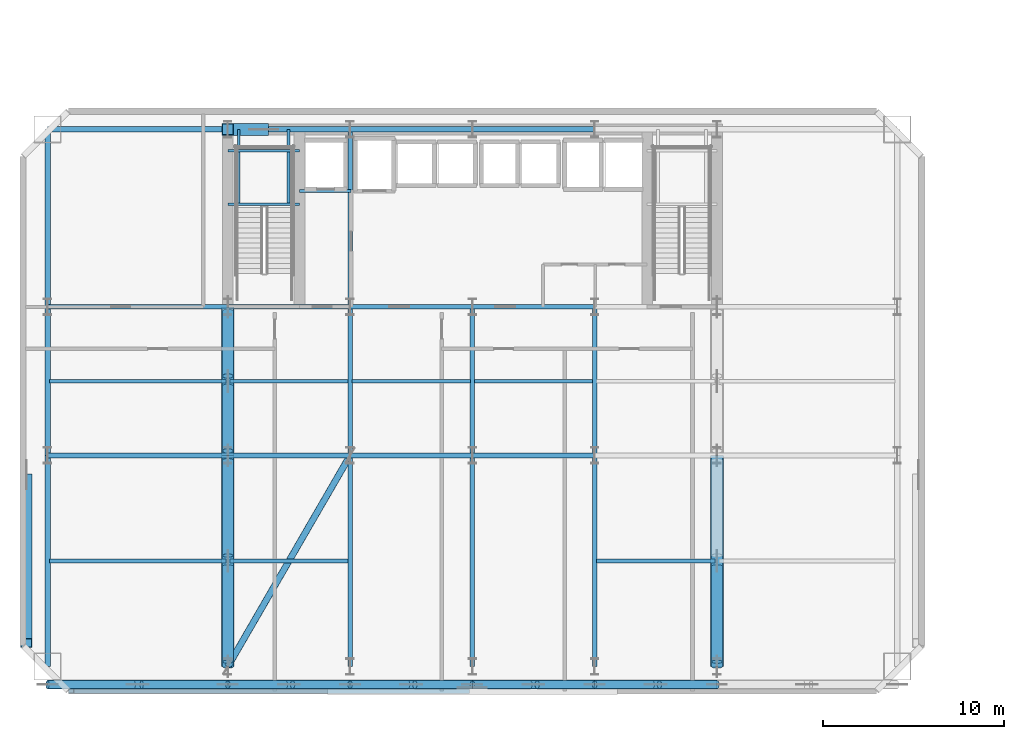
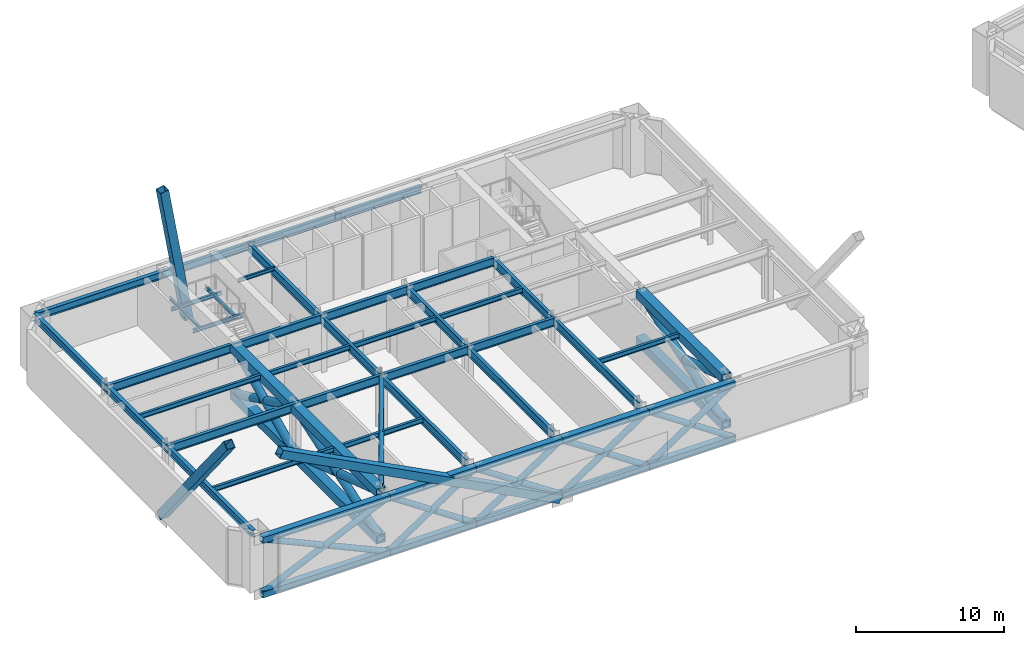
# One storey, part 3 of 17: 43 members, 34 beams.
"""IFC4 building model written with IfcOpenShell, lengths in metres."""

from ifc_helpers import new_model, si_unit, direction, frame, origin, origin_2d, place, context, subcontext, project, spatial, hollow_rectangle, hollow_circle, i_section, extrude, material, material_profile, profile_set, type_object, element, save


model = new_model("IFC4")

# Units and contexts
model_context = context("Model", 3, precision=1e-05, world=origin(), true_north=direction((0.0, 1.0)))
body_context = subcontext(model_context, "Body", "Model", "MODEL_VIEW")
ifc_project = project(units=[si_unit("LENGTHUNIT", "METRE"), si_unit("AREAUNIT", "SQUARE_METRE"), si_unit("VOLUMEUNIT", "CUBIC_METRE"), si_unit("PLANEANGLEUNIT", "RADIAN"), si_unit("MASSUNIT", "GRAM", prefix="KILO")], contexts=[model_context])

# Site, building, storey
site_placement = place(None, origin())
site = spatial("IfcSite", under=ifc_project, at=site_placement, CompositionType="ELEMENT")
building_placement = place(site_placement, origin())
building = spatial("IfcBuilding", under=site, at=building_placement, Name="Haevon Station Towers", CompositionType="ELEMENT")
storey_placement = place(building_placement, frame((0.0, 0.0, 81.89990234375)))
storey = spatial("IfcBuildingStorey", under=building, at=storey_placement, Name="L21", CompositionType="ELEMENT", Elevation=81.89990234375)

# Beams
ifc_material_1 = material(Name="Steel S355", Category="steel")
ifc_material_profile_1 = material_profile(ifc_material_1, i_section(OverallWidth=0.25, OverallDepth=0.699951171875, WebThickness=0.012939453125, FlangeThickness=0.02392578125, at=origin_2d()), Name="H-700x250x13x24")
ifc_profile_set_1 = profile_set([ifc_material_profile_1], Name="Steel S355")
beam_type_1 = type_object("IfcBeamType", Name="BM-G700", PredefinedType="BEAM", material=ifc_profile_set_1)
beam_1_placement = place(storey_placement, frame((14.050048828125, 30.0, 4.2001953125), z_axis=(1.0, 0.0, 0.0), x_axis=(0.0, 1.0, 0.0)))
element("IfcBeam", 1, at=beam_1_placement, inside=storey, type_object=beam_type_1, Name="BM-T1U-L21-02-01", PredefinedType="BEAM", context=body_context, shape_type="SweptSolid", body=[
    extrude(i_section(OverallWidth=0.25, OverallDepth=0.699951171875, WebThickness=0.012939453125, FlangeThickness=0.02392578125, at=origin_2d()), origin(), (0.0, 0.0, 1.0), 9.949951171875),
])
for number, where, z_axis, x_axis, name in (
    (2, (24.0, 30.0, 4.2001953125), (1.0, 0.0, 0.0), (0.0, 1.0, 0.0), "BM-T1U-L21-02-02"),
    (3, (30.75, 30.0, 4.2001953125), (1.0, 0.0, 0.0), (0.0, 1.0, 0.0), "BM-T1U-L21-02-03"),
    (4, (37.5, 30.0, 4.2001953125), (1.0, 0.0, 0.0), (0.0, 1.0, 0.0), "BM-T1U-L21-02-04"),
):
    element("IfcBeam", number, at=place(storey_placement, frame(where, z_axis=z_axis, x_axis=x_axis)), inside=storey, type_object=beam_type_1, Name=name, PredefinedType="BEAM", context=body_context, shape_type="SweptSolid", body=[
        extrude(i_section(OverallWidth=0.25, OverallDepth=0.699951171875, WebThickness=0.012939453125, FlangeThickness=0.02392578125, at=origin_2d()), origin(), (0.0, 0.0, 1.0), 6.75),
    ])
beam_2_placement = place(storey_placement, frame((14.050048828125, 38.199951171875, 4.2001953125), z_axis=(1.0, 0.0, 0.0), x_axis=(0.0, 1.0, 0.0)))
element("IfcBeam", 5, at=beam_2_placement, inside=storey, type_object=beam_type_1, Name="BM-T1U-L21-03-01", PredefinedType="BEAM", context=body_context, shape_type="SweptSolid", body=[
    extrude(i_section(OverallWidth=0.25, OverallDepth=0.699951171875, WebThickness=0.012939453125, FlangeThickness=0.02392578125, at=origin_2d()), origin(), (0.0, 0.0, 1.0), 9.949951171875),
])
for number, where, z_axis, x_axis, name in (
    (6, (24.0, 38.199951171875, 4.2001953125), (1.0, 0.0, 0.0), (0.0, 1.0, 0.0), "BM-T1U-L21-03-02"),
    (7, (30.75, 38.199951171875, 4.2001953125), (1.0, 0.0, 0.0), (0.0, 1.0, 0.0), "BM-T1U-L21-03-03"),
    (8, (37.5, 38.199951171875, 4.2001953125), (1.0, 0.0, 0.0), (0.0, 1.0, 0.0), "BM-T1U-L21-03-04"),
):
    element("IfcBeam", number, at=place(storey_placement, frame(where, z_axis=z_axis, x_axis=x_axis)), inside=storey, type_object=beam_type_1, Name=name, PredefinedType="BEAM", context=body_context, shape_type="SweptSolid", body=[
        extrude(i_section(OverallWidth=0.25, OverallDepth=0.699951171875, WebThickness=0.012939453125, FlangeThickness=0.02392578125, at=origin_2d()), origin(), (0.0, 0.0, 1.0), 6.75),
    ])
beam_3_placement = place(storey_placement, frame((30.75, 18.35009765625, 4.2001953125), z_axis=(0.0, 1.0, 0.0), x_axis=(-1.0, 0.0, 0.0)))
element("IfcBeam", 9, at=beam_3_placement, inside=storey, type_object=beam_type_1, Name="BM-T1V-L21-03-01", PredefinedType="BEAM", context=body_context, shape_type="SweptSolid", body=[
    extrude(i_section(OverallWidth=0.25, OverallDepth=0.699951171875, WebThickness=0.012939453125, FlangeThickness=0.02392578125, at=origin_2d()), origin(), (0.0, 0.0, 1.0), 11.64990234375),
])
beam_4_placement = place(storey_placement, frame((30.75, 30.0, 4.2001953125), z_axis=(0.0, 1.0, 0.0), x_axis=(-1.0, 0.0, 0.0)))
element("IfcBeam", 10, at=beam_4_placement, inside=storey, type_object=beam_type_1, Name="BM-T1V-L21-03-02", PredefinedType="BEAM", context=body_context, shape_type="SweptSolid", body=[
    extrude(i_section(OverallWidth=0.25, OverallDepth=0.699951171875, WebThickness=0.012939453125, FlangeThickness=0.02392578125, at=origin_2d()), origin(), (0.0, 0.0, 1.0), 8.199951171875),
])
beam_5_placement = place(storey_placement, frame((30.75, 38.199951171875, 4.2001953125), z_axis=(0.0, 1.0, 0.0), x_axis=(-1.0, 0.0, 0.0)))
element("IfcBeam", 11, at=beam_5_placement, inside=storey, type_object=beam_type_1, Name="BM-T1V-L21-03-03", PredefinedType="BEAM", context=body_context, shape_type="SweptSolid", body=[
    extrude(i_section(OverallWidth=0.25, OverallDepth=0.699951171875, WebThickness=0.012939453125, FlangeThickness=0.02392578125, at=origin_2d()), origin(), (0.0, 0.0, 1.0), 9.800048828125),
])
beam_6_placement = place(storey_placement, frame((37.5, 18.35009765625, 4.2001953125), z_axis=(0.0, 1.0, 0.0), x_axis=(-1.0, 0.0, 0.0)))
element("IfcBeam", 12, at=beam_6_placement, inside=storey, type_object=beam_type_1, Name="BM-T1V-L21-04-01", PredefinedType="BEAM", context=body_context, shape_type="SweptSolid", body=[
    extrude(i_section(OverallWidth=0.25, OverallDepth=0.699951171875, WebThickness=0.012939453125, FlangeThickness=0.02392578125, at=origin_2d()), origin(), (0.0, 0.0, 1.0), 11.64990234375),
])
beam_7_placement = place(storey_placement, frame((37.5, 30.0, 4.2001953125), z_axis=(0.0, 1.0, 0.0), x_axis=(-1.0, 0.0, 0.0)))
element("IfcBeam", 13, at=beam_7_placement, inside=storey, type_object=beam_type_1, Name="BM-T1V-L21-04-02", PredefinedType="BEAM", context=body_context, shape_type="SweptSolid", body=[
    extrude(i_section(OverallWidth=0.25, OverallDepth=0.699951171875, WebThickness=0.012939453125, FlangeThickness=0.02392578125, at=origin_2d()), origin(), (0.0, 0.0, 1.0), 8.199951171875),
])
beam_8_placement = place(storey_placement, frame((44.25, 18.35009765625, 4.2001953125), z_axis=(0.0, 1.0, 0.0), x_axis=(-1.0, 0.0, 0.0)))
element("IfcBeam", 14, at=beam_8_placement, inside=storey, type_object=beam_type_1, Name="BM-T1V-L21-05-01", PredefinedType="BEAM", context=body_context, shape_type="SweptSolid", body=[
    extrude(i_section(OverallWidth=0.25, OverallDepth=0.699951171875, WebThickness=0.012939453125, FlangeThickness=0.02392578125, at=origin_2d()), origin(), (0.0, 0.0, 1.0), 11.64990234375),
])
beam_9_placement = place(storey_placement, frame((44.25, 30.0, 4.2001953125), z_axis=(0.0, 1.0, 0.0), x_axis=(-1.0, 0.0, 0.0)))
element("IfcBeam", 15, at=beam_9_placement, inside=storey, type_object=beam_type_1, Name="BM-T1V-L21-05-02", PredefinedType="BEAM", context=body_context, shape_type="SweptSolid", body=[
    extrude(i_section(OverallWidth=0.25, OverallDepth=0.699951171875, WebThickness=0.012939453125, FlangeThickness=0.02392578125, at=origin_2d()), origin(), (0.0, 0.0, 1.0), 8.199951171875),
])
ifc_material_profile_2 = material_profile(ifc_material_1, i_section(OverallWidth=0.199951171875, OverallDepth=0.39990234375, WebThickness=0.008056640625, FlangeThickness=0.012939453125, at=origin_2d()), Name="H-400x200x8x13")
ifc_profile_set_2 = profile_set([ifc_material_profile_2], Name="Steel S355")
beam_type_2 = type_object("IfcBeamType", Name="BM-J400", PredefinedType="JOIST", material=ifc_profile_set_2)
beam_10_placement = place(storey_placement, frame((14.159912109375, 24.175048828125, 4.35009765625), z_axis=(1.0, 0.0, 0.0), x_axis=(0.0, 1.0, 0.0)))
element("IfcBeam", 16, at=beam_10_placement, inside=storey, type_object=beam_type_2, Name="BM-T1J-L21-01-01", PredefinedType="JOIST", context=body_context, shape_type="SweptSolid", body=[
    extrude(i_section(OverallWidth=0.199951171875, OverallDepth=0.39990234375, WebThickness=0.008056640625, FlangeThickness=0.012939453125, at=origin_2d()), origin(), (0.0, 0.0, 1.0), 9.72998046875),
])
for number, where, z_axis, x_axis, name in (
    (17, (24.110107421875, 24.175048828125, 4.35009765625), (1.0, 0.0, 0.0), (0.0, 1.0, 0.0), "BM-T1J-L21-01-02"),
    (18, (44.360107421875, 24.175048828125, 4.35009765625), (1.0, 0.0, 0.0), (0.0, 1.0, 0.0), "BM-T1J-L21-01-05"),
):
    element("IfcBeam", number, at=place(storey_placement, frame(where, z_axis=z_axis, x_axis=x_axis)), inside=storey, type_object=beam_type_2, Name=name, PredefinedType="JOIST", context=body_context, shape_type="SweptSolid", body=[
        extrude(i_section(OverallWidth=0.199951171875, OverallDepth=0.39990234375, WebThickness=0.008056640625, FlangeThickness=0.012939453125, at=origin_2d()), origin(), (0.0, 0.0, 1.0), 6.52978515625),
    ])
beam_11_placement = place(storey_placement, frame((14.159912109375, 34.10009765625, 4.35009765625), z_axis=(1.0, 0.0, 0.0), x_axis=(0.0, 1.0, 0.0)))
element("IfcBeam", 19, at=beam_11_placement, inside=storey, type_object=beam_type_2, Name="BM-T1J-L21-02-01", PredefinedType="JOIST", context=body_context, shape_type="SweptSolid", body=[
    extrude(i_section(OverallWidth=0.199951171875, OverallDepth=0.39990234375, WebThickness=0.008056640625, FlangeThickness=0.012939453125, at=origin_2d()), origin(), (0.0, 0.0, 1.0), 9.72998046875),
])
for number, where, z_axis, x_axis, name in (
    (20, (24.110107421875, 34.10009765625, 4.35009765625), (1.0, 0.0, 0.0), (0.0, 1.0, 0.0), "BM-T1J-L21-02-02"),
    (21, (30.860107421875, 34.10009765625, 4.35009765625), (1.0, 0.0, 0.0), (0.0, 1.0, 0.0), "BM-T1J-L21-02-03"),
    (22, (37.610107421875, 34.10009765625, 4.35009765625), (1.0, 0.0, 0.0), (0.0, 1.0, 0.0), "BM-T1J-L21-02-04"),
):
    element("IfcBeam", number, at=place(storey_placement, frame(where, z_axis=z_axis, x_axis=x_axis)), inside=storey, type_object=beam_type_2, Name=name, PredefinedType="JOIST", context=body_context, shape_type="SweptSolid", body=[
        extrude(i_section(OverallWidth=0.199951171875, OverallDepth=0.39990234375, WebThickness=0.008056640625, FlangeThickness=0.012939453125, at=origin_2d()), origin(), (0.0, 0.0, 1.0), 6.52978515625),
    ])
ifc_material_profile_3 = material_profile(ifc_material_1, i_section(OverallWidth=0.14990234375, OverallDepth=0.300048828125, WebThickness=0.006591796875, FlangeThickness=0.009033203125, at=origin_2d()), Name="H-300x150x6.5x9")
ifc_profile_set_3 = profile_set([ifc_material_profile_3], Name="Steel S355")
beam_type_3 = type_object("IfcBeamType", Name="BM-LIN300", PredefinedType="LINTEL", material=ifc_profile_set_3)
for number, where, z_axis, x_axis, name in (
    (23, (24.0, 43.864013671875, 2.050048828125), (1.0, 0.0, 0.0), (0.0, 1.0, 0.0), "BM-ST1L-L21-1-S"),
    (24, (24.0, 46.820068359375, 2.050048828125), (1.0, 0.0, 0.0), (0.0, 1.0, 0.0), "BM-ST1L-L21-1-N"),
):
    element("IfcBeam", number, at=place(storey_placement, frame(where, z_axis=z_axis, x_axis=x_axis)), inside=storey, type_object=beam_type_3, Name=name, PredefinedType="LINTEL", context=body_context, shape_type="SweptSolid", body=[
        extrude(i_section(OverallWidth=0.14990234375, OverallDepth=0.300048828125, WebThickness=0.006591796875, FlangeThickness=0.009033203125, at=origin_2d()), origin(), (0.0, 0.0, 1.0), 3.949951171875),
    ])
for number, where, z_axis, x_axis, name in (
    (25, (24.60009765625, 43.864013671875, 2.050048828125), (0.0, 1.0, 0.0), (-1.0, 0.0, 0.0), "BM-ST1L-L21-1-W"),
    (26, (27.35009765625, 43.864013671875, 2.050048828125), (0.0, 1.0, 0.0), (-1.0, 0.0, 0.0), "BM-ST1L-L21-1-E"),
):
    element("IfcBeam", number, at=place(storey_placement, frame(where, z_axis=z_axis, x_axis=x_axis)), inside=storey, type_object=beam_type_3, Name=name, PredefinedType="LINTEL", context=body_context, shape_type="SweptSolid", body=[
        extrude(i_section(OverallWidth=0.14990234375, OverallDepth=0.300048828125, WebThickness=0.006591796875, FlangeThickness=0.009033203125, at=origin_2d()), origin(), (0.0, 0.0, 1.0), 4.135986328125),
    ])
beam_12_placement = place(storey_placement, frame((27.949951171875, 44.60009765625, 4.400146484375), z_axis=(1.0, 0.0, 0.0), x_axis=(0.0, 1.0, 0.0)))
element("IfcBeam", 27, at=beam_12_placement, inside=storey, type_object=beam_type_3, Name="BM-T1LIN-L21", PredefinedType="LINTEL", context=body_context, shape_type="SweptSolid", body=[
    extrude(i_section(OverallWidth=0.14990234375, OverallDepth=0.300048828125, WebThickness=0.006591796875, FlangeThickness=0.009033203125, at=origin_2d()), origin(), (0.0, 0.0, 1.0), 2.85009765625),
])
ifc_material_profile_4 = material_profile(ifc_material_1, i_section(OverallWidth=0.300048828125, OverallDepth=0.587890625, WebThickness=0.011962890625, FlangeThickness=0.02001953125, at=origin_2d()), Name="H-588x300x12x20")
ifc_profile_set_4 = profile_set([ifc_material_profile_4], Name="Steel S355")
beam_type_4 = type_object("IfcBeamType", Name="BM-SP588", PredefinedType="SPANDREL", material=ifc_profile_set_4)
beam_13_placement = place(storey_placement, frame((14.050048828125, 48.0, 4.256103515625), z_axis=(1.0, 0.0, 0.0), x_axis=(0.0, 1.0, 0.0)))
element("IfcBeam", 28, at=beam_13_placement, inside=storey, type_object=beam_type_4, Name="BM-T1U-L21-04-01", PredefinedType="SPANDREL", context=body_context, shape_type="SweptSolid", body=[
    extrude(i_section(OverallWidth=0.300048828125, OverallDepth=0.587890625, WebThickness=0.011962890625, FlangeThickness=0.02001953125, at=origin_2d()), origin(), (0.0, 0.0, 1.0), 9.949951171875),
])
for number, where, z_axis, x_axis, name in (
    (29, (24.0, 48.0, 4.256103515625), (1.0, 0.0, 0.0), (0.0, 1.0, 0.0), "BM-T1U-L21-04-02"),
    (30, (30.75, 48.0, 4.256103515625), (1.0, 0.0, 0.0), (0.0, 1.0, 0.0), "BM-T1U-L21-04-03"),
    (31, (37.5, 48.0, 4.256103515625), (1.0, 0.0, 0.0), (0.0, 1.0, 0.0), "BM-T1U-L21-04-04"),
):
    element("IfcBeam", number, at=place(storey_placement, frame(where, z_axis=z_axis, x_axis=x_axis)), inside=storey, type_object=beam_type_4, Name=name, PredefinedType="SPANDREL", context=body_context, shape_type="SweptSolid", body=[
        extrude(i_section(OverallWidth=0.300048828125, OverallDepth=0.587890625, WebThickness=0.011962890625, FlangeThickness=0.02001953125, at=origin_2d()), origin(), (0.0, 0.0, 1.0), 6.75),
    ])
beam_14_placement = place(storey_placement, frame((14.050048828125, 18.35009765625, 4.256103515625), z_axis=(0.0, 1.0, 0.0), x_axis=(-1.0, 0.0, 0.0)))
element("IfcBeam", 32, at=beam_14_placement, inside=storey, type_object=beam_type_4, Name="BM-T1V-L21-01-01", PredefinedType="SPANDREL", context=body_context, shape_type="SweptSolid", body=[
    extrude(i_section(OverallWidth=0.300048828125, OverallDepth=0.587890625, WebThickness=0.011962890625, FlangeThickness=0.02001953125, at=origin_2d()), origin(), (0.0, 0.0, 1.0), 11.64990234375),
])
beam_15_placement = place(storey_placement, frame((14.050048828125, 30.0, 4.256103515625), z_axis=(0.0, 1.0, 0.0), x_axis=(-1.0, 0.0, 0.0)))
element("IfcBeam", 33, at=beam_15_placement, inside=storey, type_object=beam_type_4, Name="BM-T1V-L21-01-02", PredefinedType="SPANDREL", context=body_context, shape_type="SweptSolid", body=[
    extrude(i_section(OverallWidth=0.300048828125, OverallDepth=0.587890625, WebThickness=0.011962890625, FlangeThickness=0.02001953125, at=origin_2d()), origin(), (0.0, 0.0, 1.0), 8.199951171875),
])
beam_16_placement = place(storey_placement, frame((14.050048828125, 38.199951171875, 4.256103515625), z_axis=(0.0, 1.0, 0.0), x_axis=(-1.0, 0.0, 0.0)))
element("IfcBeam", 34, at=beam_16_placement, inside=storey, type_object=beam_type_4, Name="BM-T1V-L21-01-03", PredefinedType="SPANDREL", context=body_context, shape_type="SweptSolid", body=[
    extrude(i_section(OverallWidth=0.300048828125, OverallDepth=0.587890625, WebThickness=0.011962890625, FlangeThickness=0.02001953125, at=origin_2d()), origin(), (0.0, 0.0, 1.0), 9.800048828125),
])

# Members
ifc_material_2 = material(Name="Steel S460", Category="steel")
ifc_material_profile_5 = material_profile(ifc_material_2, hollow_circle(Radius=0.228515625, WallThickness=0.02001953125, at=origin_2d()), Name="CHS-457x20")
ifc_profile_set_5 = profile_set([ifc_material_profile_5], Name="Steel S460")
member_type_1 = type_object("IfcMemberType", Name="BRBLT-457", PredefinedType="BRACE", material=ifc_profile_set_5)
member_1_placement = place(storey_placement, frame((14.050048828125, 17.35009765625, -0.079833984375), z_axis=(0.910803749181, 0.0, 0.412839594126), x_axis=(0.0, 1.0, 0.0)))
element("IfcMember", 35, at=member_1_placement, inside=storey, type_object=member_type_1, Name="Tower 1 L21 Belt Truss Continuous Diagonal", PredefinedType="BRACE", context=body_context, shape_type="SweptSolid", body=[
    extrude(hollow_circle(Radius=0.228515625, WallThickness=0.02001953125, at=origin_2d()), origin(), (0.0, 0.0, 1.0), 10.92431640625),
])
for number, where, z_axis, x_axis, name in (
    (36, (14.050048828125, 17.35009765625, 4.43017578125), (0.910798309419, 0.0, -0.41285159508), (0.0, 1.0, 0.0), "Tower 1 L21 Belt Truss Split Counter Diagonal Lower"),
    (37, (19.244140625, 17.35009765625, 2.075927734375), (0.910798309419, 0.0, -0.41285159508), (0.0, 1.0, 0.0), "Tower 1 L21 Belt Truss Split Counter Diagonal Upper"),
):
    element("IfcMember", number, at=place(storey_placement, frame(where, z_axis=z_axis, x_axis=x_axis)), inside=storey, type_object=member_type_1, Name=name, PredefinedType="BRACE", context=body_context, shape_type="SweptSolid", body=[
        extrude(hollow_circle(Radius=0.228515625, WallThickness=0.02001953125, at=origin_2d()), origin(), (0.0, 0.0, 1.0), 5.2216796875),
    ])
member_2_placement = place(storey_placement, frame((24.0, 17.35009765625, -0.079833984375), z_axis=(0.831480767382, 0.0, 0.5555535379), x_axis=(0.0, 1.0, 0.0)))
element("IfcMember", 38, at=member_2_placement, inside=storey, type_object=member_type_1, Name="Tower 1 L21 Belt Truss Continuous Diagonal", PredefinedType="BRACE", context=body_context, shape_type="SweptSolid", body=[
    extrude(hollow_circle(Radius=0.228515625, WallThickness=0.02001953125, at=origin_2d()), origin(), (0.0, 0.0, 1.0), 8.1181640625),
])
for number, where, z_axis, x_axis, name in (
    (39, (24.0, 17.35009765625, 4.43017578125), (0.831459664848, 0.0, -0.555585120149), (0.0, 1.0, 0.0), "Tower 1 L21 Belt Truss Split Counter Diagonal Lower"),
    (40, (27.574951171875, 17.35009765625, 2.04150390625), (0.831489198746, 0.0, -0.555540918716), (0.0, 1.0, 0.0), "Tower 1 L21 Belt Truss Split Counter Diagonal Upper"),
):
    element("IfcMember", number, at=place(storey_placement, frame(where, z_axis=z_axis, x_axis=x_axis)), inside=storey, type_object=member_type_1, Name=name, PredefinedType="BRACE", context=body_context, shape_type="SweptSolid", body=[
        extrude(hollow_circle(Radius=0.228515625, WallThickness=0.02001953125, at=origin_2d()), origin(), (0.0, 0.0, 1.0), 3.818603515625),
    ])
member_3_placement = place(storey_placement, frame((30.75, 17.35009765625, -0.079833984375), z_axis=(0.831480767382, 0.0, 0.5555535379), x_axis=(0.0, 1.0, 0.0)))
element("IfcMember", 41, at=member_3_placement, inside=storey, type_object=member_type_1, Name="Tower 1 L21 Belt Truss Continuous Diagonal", PredefinedType="BRACE", context=body_context, shape_type="SweptSolid", body=[
    extrude(hollow_circle(Radius=0.228515625, WallThickness=0.02001953125, at=origin_2d()), origin(), (0.0, 0.0, 1.0), 8.1181640625),
])
for number, where, z_axis, x_axis, name in (
    (42, (30.75, 17.35009765625, 4.43017578125), (0.831459664848, 0.0, -0.555585120149), (0.0, 1.0, 0.0), "Tower 1 L21 Belt Truss Split Counter Diagonal Lower"),
    (43, (34.324951171875, 17.35009765625, 2.04150390625), (0.831489198746, 0.0, -0.555540918716), (0.0, 1.0, 0.0), "Tower 1 L21 Belt Truss Split Counter Diagonal Upper"),
):
    element("IfcMember", number, at=place(storey_placement, frame(where, z_axis=z_axis, x_axis=x_axis)), inside=storey, type_object=member_type_1, Name=name, PredefinedType="BRACE", context=body_context, shape_type="SweptSolid", body=[
        extrude(hollow_circle(Radius=0.228515625, WallThickness=0.02001953125, at=origin_2d()), origin(), (0.0, 0.0, 1.0), 3.818603515625),
    ])
member_4_placement = place(storey_placement, frame((37.5, 17.35009765625, -0.079833984375), z_axis=(0.831480767382, 0.0, 0.5555535379), x_axis=(0.0, 1.0, 0.0)))
element("IfcMember", 44, at=member_4_placement, inside=storey, type_object=member_type_1, Name="Tower 1 L21 Belt Truss Continuous Diagonal", PredefinedType="BRACE", context=body_context, shape_type="SweptSolid", body=[
    extrude(hollow_circle(Radius=0.228515625, WallThickness=0.02001953125, at=origin_2d()), origin(), (0.0, 0.0, 1.0), 8.1181640625),
])
for number, where, z_axis, x_axis, name in (
    (45, (37.5, 17.35009765625, 4.43017578125), (0.831459664848, 0.0, -0.555585120149), (0.0, 1.0, 0.0), "Tower 1 L21 Belt Truss Split Counter Diagonal Lower"),
    (46, (41.074951171875, 17.35009765625, 2.04150390625), (0.831489198746, 0.0, -0.555540918716), (0.0, 1.0, 0.0), "Tower 1 L21 Belt Truss Split Counter Diagonal Upper"),
):
    element("IfcMember", number, at=place(storey_placement, frame(where, z_axis=z_axis, x_axis=x_axis)), inside=storey, type_object=member_type_1, Name=name, PredefinedType="BRACE", context=body_context, shape_type="SweptSolid", body=[
        extrude(hollow_circle(Radius=0.228515625, WallThickness=0.02001953125, at=origin_2d()), origin(), (0.0, 0.0, 1.0), 3.818603515625),
    ])
member_5_placement = place(storey_placement, frame((44.25, 17.35009765625, -0.079833984375), z_axis=(0.831480767382, 0.0, 0.5555535379), x_axis=(0.0, 1.0, 0.0)))
element("IfcMember", 47, at=member_5_placement, inside=storey, type_object=member_type_1, Name="Tower 1 L21 Belt Truss Continuous Diagonal", PredefinedType="BRACE", context=body_context, shape_type="SweptSolid", body=[
    extrude(hollow_circle(Radius=0.228515625, WallThickness=0.02001953125, at=origin_2d()), origin(), (0.0, 0.0, 1.0), 8.1181640625),
])
for number, where, z_axis, x_axis, name in (
    (48, (44.25, 17.35009765625, 4.43017578125), (0.831459664848, 0.0, -0.555585120149), (0.0, 1.0, 0.0), "Tower 1 L21 Belt Truss Split Counter Diagonal Lower"),
    (49, (47.824951171875, 17.35009765625, 2.04150390625), (0.831489198746, 0.0, -0.555540918716), (0.0, 1.0, 0.0), "Tower 1 L21 Belt Truss Split Counter Diagonal Upper"),
):
    element("IfcMember", number, at=place(storey_placement, frame(where, z_axis=z_axis, x_axis=x_axis)), inside=storey, type_object=member_type_1, Name=name, PredefinedType="BRACE", context=body_context, shape_type="SweptSolid", body=[
        extrude(hollow_circle(Radius=0.228515625, WallThickness=0.02001953125, at=origin_2d()), origin(), (0.0, 0.0, 1.0), 3.818603515625),
    ])
ifc_material_profile_6 = material_profile(ifc_material_2, hollow_circle(Radius=0.3046875, WallThickness=0.02490234375, at=origin_2d()), Name="CHS-609.6x25")
ifc_profile_set_6 = profile_set([ifc_material_profile_6], Name="Steel S460")
member_type_2 = type_object("IfcMemberType", Name="BROUT-610", PredefinedType="BRACE", material=ifc_profile_set_6)
member_6_placement = place(storey_placement, frame((24.0, 18.35009765625, 0.35009765625), z_axis=(0.0, 0.949492009507, 0.313791210653), x_axis=(-1.0, 0.0, 0.0)))
element("IfcMember", 50, at=member_6_placement, inside=storey, type_object=member_type_2, Name="Tower 1 L21 Outrigger Truss Continuous Web Brace", PredefinedType="BRACE", context=body_context, shape_type="SweptSolid", body=[
    extrude(hollow_circle(Radius=0.3046875, WallThickness=0.02490234375, at=origin_2d()), origin(), (0.0, 0.0, 1.0), 12.26953125),
])
member_7_placement = place(storey_placement, frame((24.0, 18.615966796875, 4.1123046875), z_axis=(0.0, 0.949486990172, -0.313806398108), x_axis=(-1.0, 0.0, 0.0)))
element("IfcMember", 51, at=member_7_placement, inside=storey, type_object=member_type_2, Name="Tower 1 L21 Outrigger Truss Split Counter Brace Lower", PredefinedType="BRACE", context=body_context, shape_type="SweptSolid", body=[
    extrude(hollow_circle(Radius=0.3046875, WallThickness=0.02490234375, at=origin_2d()), origin(), (0.0, 0.0, 1.0), 5.537841796875),
])
member_8_placement = place(storey_placement, frame((24.0, 24.47607421875, 2.175537109375), z_axis=(0.0, 0.949500125265, -0.313766652343), x_axis=(-1.0, 0.0, 0.0)))
element("IfcMember", 52, at=member_8_placement, inside=storey, type_object=member_type_2, Name="Tower 1 L21 Outrigger Truss Split Counter Brace Upper", PredefinedType="BRACE", context=body_context, shape_type="SweptSolid", body=[
    extrude(hollow_circle(Radius=0.3046875, WallThickness=0.02490234375, at=origin_2d()), origin(), (0.0, 0.0, 1.0), 5.53759765625),
])
member_9_placement = place(storey_placement, frame((24.0, 30.0, 0.35009765625), z_axis=(0.0, 0.905188491566, 0.425010346622), x_axis=(-1.0, 0.0, 0.0)))
element("IfcMember", 53, at=member_9_placement, inside=storey, type_object=member_type_2, Name="Tower 1 L21 Outrigger Truss Continuous Web Brace", PredefinedType="BRACE", context=body_context, shape_type="SweptSolid", body=[
    extrude(hollow_circle(Radius=0.3046875, WallThickness=0.02490234375, at=origin_2d()), origin(), (0.0, 0.0, 1.0), 9.058837890625),
])
for number, where, z_axis, x_axis, name in (
    (54, (24.0, 30.25341796875, 4.0810546875), (0.0, 0.905205263166, -0.42497462458), (-1.0, 0.0, 0.0), "Tower 1 L21 Outrigger Truss Split Counter Brace Lower"),
    (55, (24.0, 34.386962890625, 2.140380859375), (0.0, 0.905181378776, -0.425025495137), (-1.0, 0.0, 0.0), "Tower 1 L21 Outrigger Truss Split Counter Brace Upper"),
):
    element("IfcMember", number, at=place(storey_placement, frame(where, z_axis=z_axis, x_axis=x_axis)), inside=storey, type_object=member_type_2, Name=name, PredefinedType="BRACE", context=body_context, shape_type="SweptSolid", body=[
        extrude(hollow_circle(Radius=0.3046875, WallThickness=0.02490234375, at=origin_2d()), origin(), (0.0, 0.0, 1.0), 3.932373046875),
    ])
member_10_placement = place(storey_placement, frame((51.0, 18.35009765625, 0.35009765625), z_axis=(0.0, 0.949492009507, 0.313791210653), x_axis=(-1.0, 0.0, 0.0)))
element("IfcMember", 56, at=member_10_placement, inside=storey, type_object=member_type_2, Name="Tower 1 L21 Outrigger Truss Continuous Web Brace", PredefinedType="BRACE", context=body_context, shape_type="SweptSolid", body=[
    extrude(hollow_circle(Radius=0.3046875, WallThickness=0.02490234375, at=origin_2d()), origin(), (0.0, 0.0, 1.0), 12.26953125),
])
member_11_placement = place(storey_placement, frame((51.0, 18.615966796875, 4.1123046875), z_axis=(0.0, 0.949486990172, -0.313806398108), x_axis=(-1.0, 0.0, 0.0)))
element("IfcMember", 57, at=member_11_placement, inside=storey, type_object=member_type_2, Name="Tower 1 L21 Outrigger Truss Split Counter Brace Lower", PredefinedType="BRACE", context=body_context, shape_type="SweptSolid", body=[
    extrude(hollow_circle(Radius=0.3046875, WallThickness=0.02490234375, at=origin_2d()), origin(), (0.0, 0.0, 1.0), 5.537841796875),
])
ifc_material_profile_7 = material_profile(ifc_material_2, hollow_rectangle(XDim=0.5, YDim=0.5, WallThickness=0.02490234375, at=origin_2d()), Name="RHS-500x500x25")
ifc_profile_set_7 = profile_set([ifc_material_profile_7], Name="Steel S460")
member_type_3 = type_object("IfcMemberType", Name="CHBLT-500", PredefinedType="CHORD", material=ifc_profile_set_7)
for number, where, z_axis, x_axis, name in (
    (58, (14.050048828125, 17.35009765625, -0.079833984375), (1.0, 0.0, 0.0), (0.0, 1.0, 0.0), "Tower 1 L21 Belt Truss Bottom Chord"),
    (59, (14.050048828125, 17.35009765625, 4.43017578125), (1.0, 0.0, 0.0), (0.0, 1.0, 0.0), "Tower 1 L21 Belt Truss Top Chord"),
):
    element("IfcMember", number, at=place(storey_placement, frame(where, z_axis=z_axis, x_axis=x_axis)), inside=storey, type_object=member_type_3, Name=name, PredefinedType="CHORD", context=body_context, shape_type="SweptSolid", body=[
        extrude(hollow_rectangle(XDim=0.5, YDim=0.5, WallThickness=0.02490234375, at=origin_2d()), origin(), (0.0, 0.0, 1.0), 9.949951171875),
    ])
for number, where, z_axis, x_axis, name in (
    (60, (24.0, 17.35009765625, -0.079833984375), (1.0, 0.0, 0.0), (0.0, 1.0, 0.0), "Tower 1 L21 Belt Truss Bottom Chord"),
    (61, (24.0, 17.35009765625, 4.43017578125), (1.0, 0.0, 0.0), (0.0, 1.0, 0.0), "Tower 1 L21 Belt Truss Top Chord"),
    (62, (30.75, 17.35009765625, -0.079833984375), (1.0, 0.0, 0.0), (0.0, 1.0, 0.0), "Tower 1 L21 Belt Truss Bottom Chord"),
    (63, (30.75, 17.35009765625, 4.43017578125), (1.0, 0.0, 0.0), (0.0, 1.0, 0.0), "Tower 1 L21 Belt Truss Top Chord"),
    (64, (37.5, 17.35009765625, -0.079833984375), (1.0, 0.0, 0.0), (0.0, 1.0, 0.0), "Tower 1 L21 Belt Truss Bottom Chord"),
    (65, (37.5, 17.35009765625, 4.43017578125), (1.0, 0.0, 0.0), (0.0, 1.0, 0.0), "Tower 1 L21 Belt Truss Top Chord"),
    (66, (44.25, 17.35009765625, -0.079833984375), (1.0, 0.0, 0.0), (0.0, 1.0, 0.0), "Tower 1 L21 Belt Truss Bottom Chord"),
    (67, (44.25, 17.35009765625, 4.43017578125), (1.0, 0.0, 0.0), (0.0, 1.0, 0.0), "Tower 1 L21 Belt Truss Top Chord"),
):
    element("IfcMember", number, at=place(storey_placement, frame(where, z_axis=z_axis, x_axis=x_axis)), inside=storey, type_object=member_type_3, Name=name, PredefinedType="CHORD", context=body_context, shape_type="SweptSolid", body=[
        extrude(hollow_rectangle(XDim=0.5, YDim=0.5, WallThickness=0.02490234375, at=origin_2d()), origin(), (0.0, 0.0, 1.0), 6.75),
    ])
ifc_material_profile_8 = material_profile(ifc_material_2, hollow_rectangle(XDim=0.699951171875, YDim=0.699951171875, WallThickness=0.034912109375, at=origin_2d()), Name="RHS-700x700x35")
ifc_profile_set_8 = profile_set([ifc_material_profile_8], Name="Steel S460")
member_type_4 = type_object("IfcMemberType", Name="CHOUT-700", PredefinedType="CHORD", material=ifc_profile_set_8)
for number, where, z_axis, x_axis, name in (
    (68, (24.0, 18.35009765625, 0.35009765625), (0.0, 1.0, 0.0), (-1.0, 0.0, 0.0), "Tower 1 L21 Outrigger Truss Bottom Chord"),
    (69, (24.0, 18.35009765625, 4.2001953125), (0.0, 1.0, 0.0), (-1.0, 0.0, 0.0), "Tower 1 L21 Outrigger Truss Top Chord"),
):
    element("IfcMember", number, at=place(storey_placement, frame(where, z_axis=z_axis, x_axis=x_axis)), inside=storey, type_object=member_type_4, Name=name, PredefinedType="CHORD", context=body_context, shape_type="SweptSolid", body=[
        extrude(hollow_rectangle(XDim=0.699951171875, YDim=0.699951171875, WallThickness=0.034912109375, at=origin_2d()), origin(), (0.0, 0.0, 1.0), 11.64990234375),
    ])
for number, where, z_axis, x_axis, name in (
    (70, (24.0, 30.0, 0.35009765625), (0.0, 1.0, 0.0), (-1.0, 0.0, 0.0), "Tower 1 L21 Outrigger Truss Bottom Chord"),
    (71, (24.0, 30.0, 4.2001953125), (0.0, 1.0, 0.0), (-1.0, 0.0, 0.0), "Tower 1 L21 Outrigger Truss Top Chord"),
):
    element("IfcMember", number, at=place(storey_placement, frame(where, z_axis=z_axis, x_axis=x_axis)), inside=storey, type_object=member_type_4, Name=name, PredefinedType="CHORD", context=body_context, shape_type="SweptSolid", body=[
        extrude(hollow_rectangle(XDim=0.699951171875, YDim=0.699951171875, WallThickness=0.034912109375, at=origin_2d()), origin(), (0.0, 0.0, 1.0), 8.199951171875),
    ])
for number, where, z_axis, x_axis, name in (
    (72, (51.0, 18.35009765625, 0.35009765625), (0.0, 1.0, 0.0), (-1.0, 0.0, 0.0), "Tower 1 L21 Outrigger Truss Bottom Chord"),
    (73, (51.0, 18.35009765625, 4.2001953125), (0.0, 1.0, 0.0), (-1.0, 0.0, 0.0), "Tower 1 L21 Outrigger Truss Top Chord"),
):
    element("IfcMember", number, at=place(storey_placement, frame(where, z_axis=z_axis, x_axis=x_axis)), inside=storey, type_object=member_type_4, Name=name, PredefinedType="CHORD", context=body_context, shape_type="SweptSolid", body=[
        extrude(hollow_rectangle(XDim=0.699951171875, YDim=0.699951171875, WallThickness=0.034912109375, at=origin_2d()), origin(), (0.0, 0.0, 1.0), 11.64990234375),
    ])
ifc_material_profile_9 = material_profile(ifc_material_2, hollow_rectangle(XDim=0.64990234375, YDim=0.64990234375, WallThickness=0.031982421875, at=origin_2d()), Name="RHS-650x650x32")
ifc_profile_set_9 = profile_set([ifc_material_profile_9], Name="Steel S460")
member_type_5 = type_object("IfcMemberType", Name="MB-650", PredefinedType="BRACE", material=ifc_profile_set_9)
member_12_placement = place(storey_placement, frame((37.201171875, 17.179931640625, -0.129150390625), z_axis=(-0.886940980029, 0.0, 0.461882775113), x_axis=(0.0, -1.0, 0.0)))
element("IfcMember", 74, at=member_12_placement, inside=storey, type_object=member_type_5, Name="BR-T1MB-T02-S-D2B", PredefinedType="BRACE", context=body_context, shape_type="SweptSolid", body=[
    extrude(hollow_rectangle(XDim=0.64990234375, YDim=0.64990234375, WallThickness=0.031982421875, at=origin_2d()), origin(), (0.0, 0.0, 1.0), 24.636474609375),
])
member_13_placement = place(storey_placement, frame((25.918212890625, 48.0, 0.04736328125), z_axis=(-0.168772429199, 0.0, 0.9856550447), x_axis=(0.0, -1.0, 0.0)))
element("IfcMember", 75, at=member_13_placement, inside=storey, type_object=member_type_5, Name="BR-T1MB-T02-N-D2B", PredefinedType="BRACE", context=body_context, shape_type="SweptSolid", body=[
    extrude(hollow_rectangle(XDim=0.64990234375, YDim=0.64990234375, WallThickness=0.031982421875, at=origin_2d()), origin(), (0.0, 0.0, 1.0), 11.36572265625),
])
member_14_placement = place(storey_placement, frame((12.8798828125, 28.7138671875, -0.022216796875), z_axis=(0.0, -0.626640336228, 0.779308596778), x_axis=(1.0, 0.0, 0.0)))
element("IfcMember", 76, at=member_14_placement, inside=storey, type_object=member_type_5, Name="BR-T1MB-T02-W-D2B", PredefinedType="BRACE", context=body_context, shape_type="SweptSolid", body=[
    extrude(hollow_rectangle(XDim=0.64990234375, YDim=0.64990234375, WallThickness=0.031982421875, at=origin_2d()), origin(), (0.0, 0.0, 1.0), 14.46435546875),
])
ifc_material_profile_10 = material_profile(ifc_material_1, hollow_circle(Radius=0.177734375, WallThickness=0.01611328125, at=origin_2d()), Name="CHS-355.6x16")
ifc_profile_set_10 = profile_set([ifc_material_profile_10], Name="Steel S355")
member_type_6 = type_object("IfcMemberType", Name="STTIE-356", PredefinedType="STRUT", material=ifc_profile_set_10)
member_15_placement = place(storey_placement, frame((24.0, 18.35009765625, 4.39013671875), z_axis=(0.501332157455, 0.865254914983, 0.0), x_axis=(-0.865254914983, 0.501332157455, 0.0)))
element("IfcMember", 77, at=member_15_placement, inside=storey, type_object=member_type_6, Name="ST-T1TIE-L21", PredefinedType="STRUT", context=body_context, shape_type="SweptSolid", body=[
    extrude(hollow_circle(Radius=0.177734375, WallThickness=0.01611328125, at=origin_2d()), origin(), (0.0, 0.0, 1.0), 13.464111328125),
])

save(model, "model.ifc")
